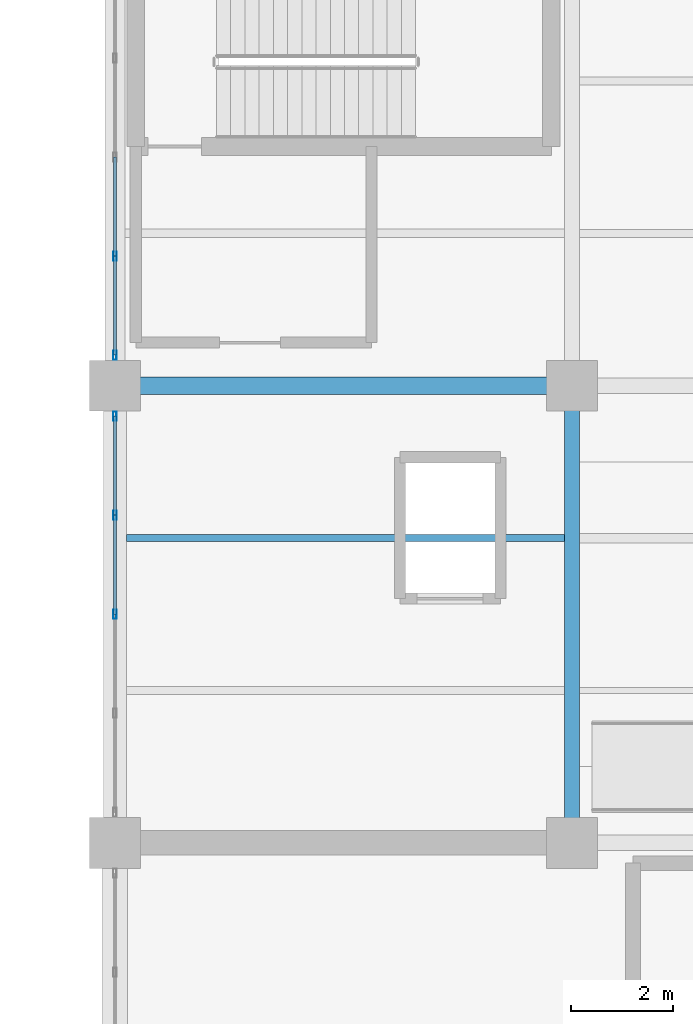
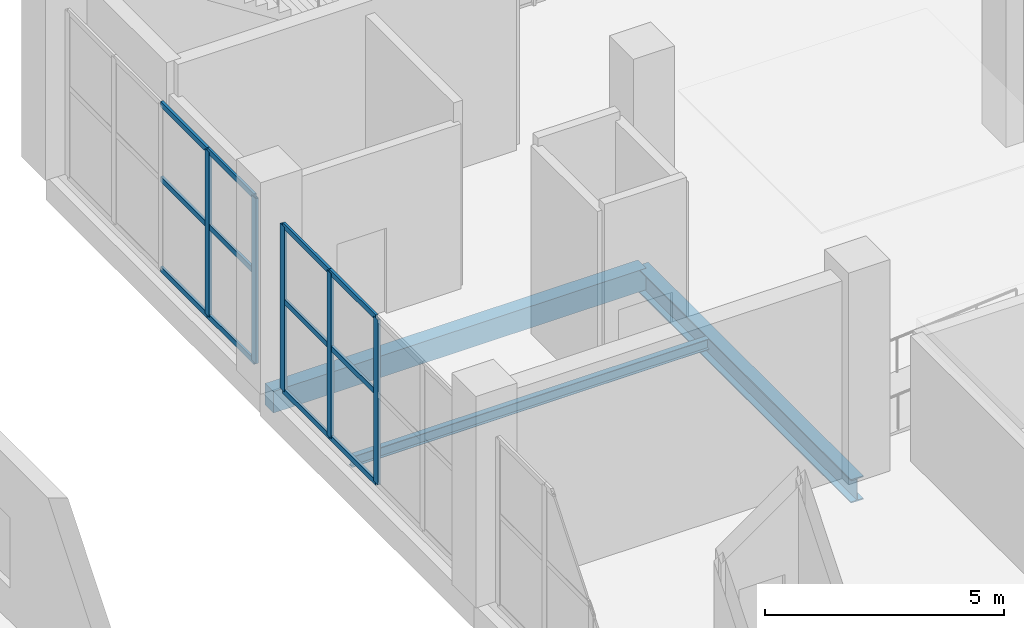
# One storey, part 50 of 147: 17 members, 3 beams, 2 elements without a shape of their own.
"""IFC4 building model written with IfcOpenShell, lengths in metres."""

from ifc_helpers import new_model, si_unit, direction, frame, origin, origin_2d, place, context, subcontext, project, spatial, rectangle, hollow_rectangle, i_section, extrude, material, layer, layer_set, material_profile, profile_set, type_object, element, aggregate, save


model = new_model("IFC4")

# Units and contexts
model_context = context("Model", 3, precision=1e-05, world=origin(), true_north=direction((0.0, 1.0)))
body_context = subcontext(model_context, "Body", "Model", "MODEL_VIEW")
ifc_project = project(units=[si_unit("LENGTHUNIT", "METRE"), si_unit("AREAUNIT", "SQUARE_METRE"), si_unit("VOLUMEUNIT", "CUBIC_METRE"), si_unit("PLANEANGLEUNIT", "RADIAN"), si_unit("MASSUNIT", "GRAM", prefix="KILO")], contexts=[model_context])

# Site, building, storey
site_placement = place(None, origin())
site = spatial("IfcSite", under=ifc_project, at=site_placement, CompositionType="ELEMENT")
building_placement = place(site_placement, origin())
building = spatial("IfcBuilding", under=site, at=building_placement, Name="Sundgate Opera House", CompositionType="ELEMENT")
storey_placement = place(building_placement, frame((0.0, 0.0, 6.0)))
storey = spatial("IfcBuildingStorey", under=building, at=storey_placement, Name="L01", CompositionType="ELEMENT", Elevation=6.0)

# Beams
ifc_material_1 = material(Name="Steel S355J2", Category="steel")
ifc_material_profile_1 = material_profile(ifc_material_1, i_section(OverallWidth=0.300048828125, OverallDepth=0.60009765625, WebThickness=0.015380859375, FlangeThickness=0.030029296875, at=origin_2d()), Name="HEB 600")
ifc_profile_set_1 = profile_set([ifc_material_profile_1], Name="Steel S355J2")
beam_type_1 = type_object("IfcBeamType", Name="BM-GR-HEB600", PredefinedType="BEAM", material=ifc_profile_set_1)
beam_1_placement = place(storey_placement, frame((45.0, 60.0, -0.60009765625), z_axis=(0.0, 1.0, 0.0), x_axis=(-1.0, 0.0, 0.0)))
element("IfcBeam", 1, at=beam_1_placement, inside=storey, type_object=beam_type_1, Name="L01 Primary N-S Girder B1118", PredefinedType="BEAM", context=body_context, shape_type="SweptSolid", body=[
    extrude(i_section(OverallWidth=0.300048828125, OverallDepth=0.60009765625, WebThickness=0.015380859375, FlangeThickness=0.030029296875, at=origin_2d()), origin(), (0.0, 0.0, 1.0), 9.0),
])
ifc_material_2 = material(Name="Steel S355J2", Category="steel")
ifc_material_profile_2 = material_profile(ifc_material_2, i_section(OverallWidth=0.135009765625, OverallDepth=0.27001953125, WebThickness=0.006591796875, FlangeThickness=0.01025390625, at=origin_2d()), Name="IPE 270")
ifc_profile_set_2 = profile_set([ifc_material_profile_2], Name="Steel S355J2")
beam_type_2 = type_object("IfcBeamType", Name="BM-JS-IPE270", PredefinedType="JOIST", material=ifc_profile_set_2)
beam_2_placement = place(storey_placement, frame((36.22509765625, 66.0, -0.43505859375), z_axis=(1.0, 0.0, 0.0), x_axis=(0.0, 1.0, 0.0)))
element("IfcBeam", 2, at=beam_2_placement, inside=storey, type_object=beam_type_2, Name="L01 Secondary Floor Joist B1587", PredefinedType="JOIST", context=body_context, shape_type="SweptSolid", body=[
    extrude(i_section(OverallWidth=0.135009765625, OverallDepth=0.27001953125, WebThickness=0.006591796875, FlangeThickness=0.01025390625, at=origin_2d()), origin(), (0.0, 0.0, 1.0), 8.625),
])
ifc_material_3 = material(Name="Concrete C35/45", Category="concrete")
ifc_material_profile_3 = material_profile(ifc_material_3, rectangle(XDim=0.35009765625, YDim=0.550048828125, at=origin_2d()), Name="RC 350x550")
ifc_profile_set_3 = profile_set([ifc_material_profile_3], Name="Concrete C35/45")
beam_type_3 = type_object("IfcBeamType", Name="BM-RC-350x550", PredefinedType="BEAM", material=ifc_profile_set_3)
beam_3_placement = place(storey_placement, frame((36.0, 69.0, -0.574951171875), z_axis=(1.0, 0.0, 0.0), x_axis=(0.0, 1.0, 0.0)))
element("IfcBeam", 3, at=beam_3_placement, inside=storey, type_object=beam_type_3, Name="L01 Primary E-W Girder B1357", PredefinedType="BEAM", context=body_context, shape_type="SweptSolid", body=[
    extrude(rectangle(XDim=0.35009765625, YDim=0.550048828125, at=origin_2d()), origin(), (0.0, 0.0, 1.0), 9.0),
])

# Curtain wall, members
ifc_material_4 = material(Name="Anodized aluminium and low-iron glass", Category="aluminium")
ifc_layer = layer(ifc_material_4, 0.179931640625)
ifc_layer_set = layer_set([ifc_layer], Name="Anodized aluminium and low-iron glass")
curtain_wall_type = type_object("IfcCurtainWallType", Name="CW-FOYER-GLASS", PredefinedType="NOTDEFINED", material=ifc_layer_set)
curtain_wall_1_placement = place(storey_placement, origin())
curtain_wall_1 = element("IfcCurtainWall", 4, at=curtain_wall_1_placement, inside=storey, type_object=curtain_wall_type, Name="L01 Curtain Wall CW021", PredefinedType="NOTDEFINED")
ifc_material_5 = material(Name="Anodized aluminium EN AW-6063", Category="aluminium")
ifc_material_profile_4 = material_profile(ifc_material_5, hollow_rectangle(XDim=0.06494140625, YDim=0.179931640625, WallThickness=0.00390625, at=origin_2d()), Name="CWM 180x65x4")
ifc_profile_set_4 = profile_set([ifc_material_profile_4], Name="Anodized aluminium EN AW-6063")
member_type_1 = type_object("IfcMemberType", Name="CWM-ALU-180x65", PredefinedType="MULLION", material=ifc_profile_set_4)
member_1_placement = place(storey_placement, frame((36.0, 68.39990234375, 0.0), z_axis=(0.0, 0.0, 1.0), x_axis=(1.0, 0.0, 0.0)))
member_1 = element("IfcMember", 5, at=member_1_placement, type_object=member_type_1, Name="CW021 Mullion 1", PredefinedType="MULLION", context=body_context, shape_type="SweptSolid", body=[
    extrude(hollow_rectangle(XDim=0.06494140625, YDim=0.179931640625, WallThickness=0.00390625, at=origin_2d()), origin(), (0.0, 0.0, 1.0), 4.215087890625),
])
member_2_placement = place(storey_placement, frame((36.0, 66.449951171875, 0.0), z_axis=(0.0, 0.0, 1.0), x_axis=(1.0, 0.0, 0.0)))
member_2 = element("IfcMember", 6, at=member_2_placement, type_object=member_type_1, Name="CW021 Mullion 2", PredefinedType="MULLION", context=body_context, shape_type="SweptSolid", body=[
    extrude(hollow_rectangle(XDim=0.06494140625, YDim=0.179931640625, WallThickness=0.00390625, at=origin_2d()), origin(), (0.0, 0.0, 1.0), 4.215087890625),
])
member_3_placement = place(storey_placement, frame((36.0, 64.5, 0.0), z_axis=(0.0, 0.0, 1.0), x_axis=(1.0, 0.0, 0.0)))
member_3 = element("IfcMember", 7, at=member_3_placement, type_object=member_type_1, Name="CW021 Mullion 3", PredefinedType="MULLION", context=body_context, shape_type="SweptSolid", body=[
    extrude(hollow_rectangle(XDim=0.06494140625, YDim=0.179931640625, WallThickness=0.00390625, at=origin_2d()), origin(), (0.0, 0.0, 1.0), 4.215087890625),
])

curtain_wall_2_placement = place(storey_placement, origin())
curtain_wall_2 = element("IfcCurtainWall", 8, at=curtain_wall_2_placement, inside=storey, type_object=curtain_wall_type, Name="L01 Curtain Wall CW022", PredefinedType="NOTDEFINED")
member_4_placement = place(storey_placement, frame((36.0, 71.550048828125, 0.0), z_axis=(0.0, 0.0, 1.0), x_axis=(1.0, 0.0, 0.0)))
member_4 = element("IfcMember", 9, at=member_4_placement, type_object=member_type_1, Name="CW022 Mullion 4", PredefinedType="MULLION", context=body_context, shape_type="SweptSolid", body=[
    extrude(hollow_rectangle(XDim=0.06494140625, YDim=0.179931640625, WallThickness=0.00390625, at=origin_2d()), origin(), (0.0, 0.0, 1.0), 4.215087890625),
])
member_5_placement = place(storey_placement, frame((36.0, 69.60009765625, 0.0), z_axis=(0.0, 0.0, 1.0), x_axis=(1.0, 0.0, 0.0)))
member_5 = element("IfcMember", 10, at=member_5_placement, type_object=member_type_1, Name="CW022 Mullion 5", PredefinedType="MULLION", context=body_context, shape_type="SweptSolid", body=[
    extrude(hollow_rectangle(XDim=0.06494140625, YDim=0.179931640625, WallThickness=0.00390625, at=origin_2d()), origin(), (0.0, 0.0, 1.0), 4.215087890625),
])

# Member
ifc_material_6 = material(Name="Anodized aluminium EN AW-6063", Category="aluminium")
ifc_material_profile_5 = material_profile(ifc_material_6, hollow_rectangle(XDim=0.06005859375, YDim=0.139892578125, WallThickness=0.00390625, at=origin_2d()), Name="CWT 140x60x4")
ifc_profile_set_5 = profile_set([ifc_material_profile_5], Name="Anodized aluminium EN AW-6063")
member_type_2 = type_object("IfcMemberType", Name="CWT-ALU-140x60", PredefinedType="USERDEFINED", material=ifc_profile_set_5)
member_6_placement = place(storey_placement, frame((36.0, 68.39990234375, 0.0), z_axis=(0.0, -1.0, 0.0), x_axis=(1.0, 0.0, 0.0)))
member_6 = element("IfcMember", 11, at=member_6_placement, type_object=member_type_2, Name="CW021 Transom 1", ObjectType="TRANSOM", PredefinedType="USERDEFINED", context=body_context, shape_type="SweptSolid", body=[
    extrude(hollow_rectangle(XDim=0.06005859375, YDim=0.139892578125, WallThickness=0.00390625, at=origin_2d()), origin(), (0.0, 0.0, 1.0), 1.949951171875),
])

member_7_placement = place(storey_placement, frame((36.0, 68.39990234375, 2.300048828125), z_axis=(0.0, -1.0, 0.0), x_axis=(1.0, 0.0, 0.0)))
member_7 = element("IfcMember", 12, at=member_7_placement, type_object=member_type_2, Name="CW021 Transom 2", ObjectType="TRANSOM", PredefinedType="USERDEFINED", context=body_context, shape_type="SweptSolid", body=[
    extrude(hollow_rectangle(XDim=0.06005859375, YDim=0.139892578125, WallThickness=0.00390625, at=origin_2d()), origin(), (0.0, 0.0, 1.0), 1.949951171875),
])

member_8_placement = place(storey_placement, frame((36.0, 68.39990234375, 4.215087890625), z_axis=(0.0, -1.0, 0.0), x_axis=(1.0, 0.0, 0.0)))
member_8 = element("IfcMember", 13, at=member_8_placement, type_object=member_type_2, Name="CW021 Transom 3", ObjectType="TRANSOM", PredefinedType="USERDEFINED", context=body_context, shape_type="SweptSolid", body=[
    extrude(hollow_rectangle(XDim=0.06005859375, YDim=0.139892578125, WallThickness=0.00390625, at=origin_2d()), origin(), (0.0, 0.0, 1.0), 1.949951171875),
])

member_9_placement = place(storey_placement, frame((36.0, 66.449951171875, 0.0), z_axis=(0.0, -1.0, 0.0), x_axis=(1.0, 0.0, 0.0)))
member_9 = element("IfcMember", 14, at=member_9_placement, type_object=member_type_2, Name="CW021 Transom 4", ObjectType="TRANSOM", PredefinedType="USERDEFINED", context=body_context, shape_type="SweptSolid", body=[
    extrude(hollow_rectangle(XDim=0.06005859375, YDim=0.139892578125, WallThickness=0.00390625, at=origin_2d()), origin(), (0.0, 0.0, 1.0), 1.949951171875),
])

member_10_placement = place(storey_placement, frame((36.0, 66.449951171875, 2.300048828125), z_axis=(0.0, -1.0, 0.0), x_axis=(1.0, 0.0, 0.0)))
member_10 = element("IfcMember", 15, at=member_10_placement, type_object=member_type_2, Name="CW021 Transom 5", ObjectType="TRANSOM", PredefinedType="USERDEFINED", context=body_context, shape_type="SweptSolid", body=[
    extrude(hollow_rectangle(XDim=0.06005859375, YDim=0.139892578125, WallThickness=0.00390625, at=origin_2d()), origin(), (0.0, 0.0, 1.0), 1.949951171875),
])

member_11_placement = place(storey_placement, frame((36.0, 66.449951171875, 4.215087890625), z_axis=(0.0, -1.0, 0.0), x_axis=(1.0, 0.0, 0.0)))
member_11 = element("IfcMember", 16, at=member_11_placement, type_object=member_type_2, Name="CW021 Transom 6", ObjectType="TRANSOM", PredefinedType="USERDEFINED", context=body_context, shape_type="SweptSolid", body=[
    extrude(hollow_rectangle(XDim=0.06005859375, YDim=0.139892578125, WallThickness=0.00390625, at=origin_2d()), origin(), (0.0, 0.0, 1.0), 1.949951171875),
])

aggregate(curtain_wall_1, [member_1, member_2, member_3, member_6, member_7, member_8, member_9, member_10, member_11])

member_12_placement = place(storey_placement, frame((36.0, 73.5, 0.0), z_axis=(0.0, -1.0, 0.0), x_axis=(1.0, 0.0, 0.0)))
member_12 = element("IfcMember", 17, at=member_12_placement, type_object=member_type_2, Name="CW022 Transom 7", ObjectType="TRANSOM", PredefinedType="USERDEFINED", context=body_context, shape_type="SweptSolid", body=[
    extrude(hollow_rectangle(XDim=0.06005859375, YDim=0.139892578125, WallThickness=0.00390625, at=origin_2d()), origin(), (0.0, 0.0, 1.0), 1.949951171875),
])

member_13_placement = place(storey_placement, frame((36.0, 73.5, 2.300048828125), z_axis=(0.0, -1.0, 0.0), x_axis=(1.0, 0.0, 0.0)))
member_13 = element("IfcMember", 18, at=member_13_placement, type_object=member_type_2, Name="CW022 Transom 8", ObjectType="TRANSOM", PredefinedType="USERDEFINED", context=body_context, shape_type="SweptSolid", body=[
    extrude(hollow_rectangle(XDim=0.06005859375, YDim=0.139892578125, WallThickness=0.00390625, at=origin_2d()), origin(), (0.0, 0.0, 1.0), 1.949951171875),
])

member_14_placement = place(storey_placement, frame((36.0, 73.5, 4.215087890625), z_axis=(0.0, -1.0, 0.0), x_axis=(1.0, 0.0, 0.0)))
member_14 = element("IfcMember", 19, at=member_14_placement, type_object=member_type_2, Name="CW022 Transom 9", ObjectType="TRANSOM", PredefinedType="USERDEFINED", context=body_context, shape_type="SweptSolid", body=[
    extrude(hollow_rectangle(XDim=0.06005859375, YDim=0.139892578125, WallThickness=0.00390625, at=origin_2d()), origin(), (0.0, 0.0, 1.0), 1.949951171875),
])

member_15_placement = place(storey_placement, frame((36.0, 71.550048828125, 0.0), z_axis=(0.0, -1.0, 0.0), x_axis=(1.0, 0.0, 0.0)))
member_15 = element("IfcMember", 20, at=member_15_placement, type_object=member_type_2, Name="CW022 Transom 10", ObjectType="TRANSOM", PredefinedType="USERDEFINED", context=body_context, shape_type="SweptSolid", body=[
    extrude(hollow_rectangle(XDim=0.06005859375, YDim=0.139892578125, WallThickness=0.00390625, at=origin_2d()), origin(), (0.0, 0.0, 1.0), 1.949951171875),
])

member_16_placement = place(storey_placement, frame((36.0, 71.550048828125, 2.300048828125), z_axis=(0.0, -1.0, 0.0), x_axis=(1.0, 0.0, 0.0)))
member_16 = element("IfcMember", 21, at=member_16_placement, type_object=member_type_2, Name="CW022 Transom 11", ObjectType="TRANSOM", PredefinedType="USERDEFINED", context=body_context, shape_type="SweptSolid", body=[
    extrude(hollow_rectangle(XDim=0.06005859375, YDim=0.139892578125, WallThickness=0.00390625, at=origin_2d()), origin(), (0.0, 0.0, 1.0), 1.949951171875),
])

member_17_placement = place(storey_placement, frame((36.0, 71.550048828125, 4.215087890625), z_axis=(0.0, -1.0, 0.0), x_axis=(1.0, 0.0, 0.0)))
member_17 = element("IfcMember", 22, at=member_17_placement, type_object=member_type_2, Name="CW022 Transom 12", ObjectType="TRANSOM", PredefinedType="USERDEFINED", context=body_context, shape_type="SweptSolid", body=[
    extrude(hollow_rectangle(XDim=0.06005859375, YDim=0.139892578125, WallThickness=0.00390625, at=origin_2d()), origin(), (0.0, 0.0, 1.0), 1.949951171875),
])

aggregate(curtain_wall_2, [member_4, member_5, member_12, member_13, member_14, member_15, member_16, member_17])

save(model, "model.ifc")
